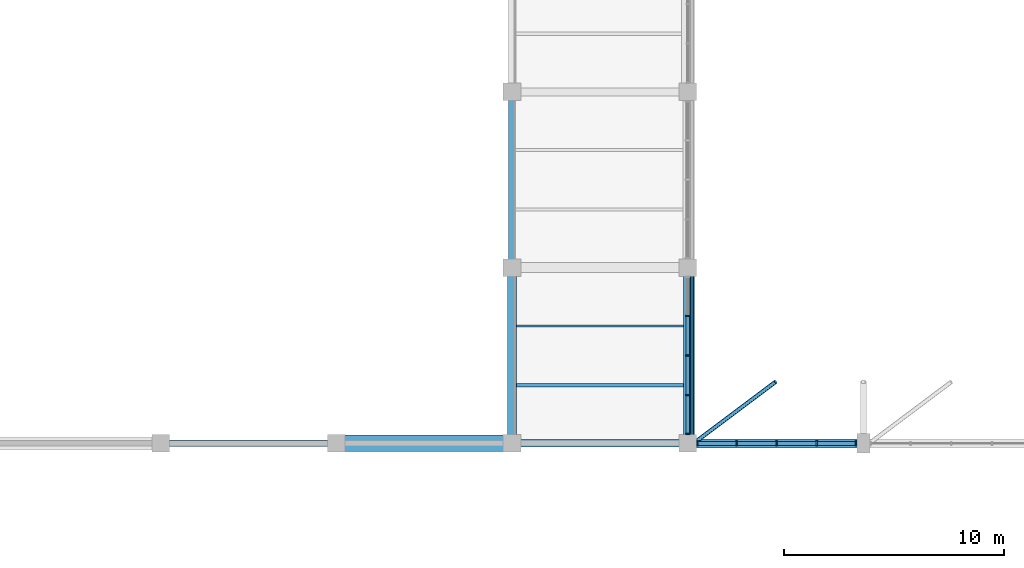
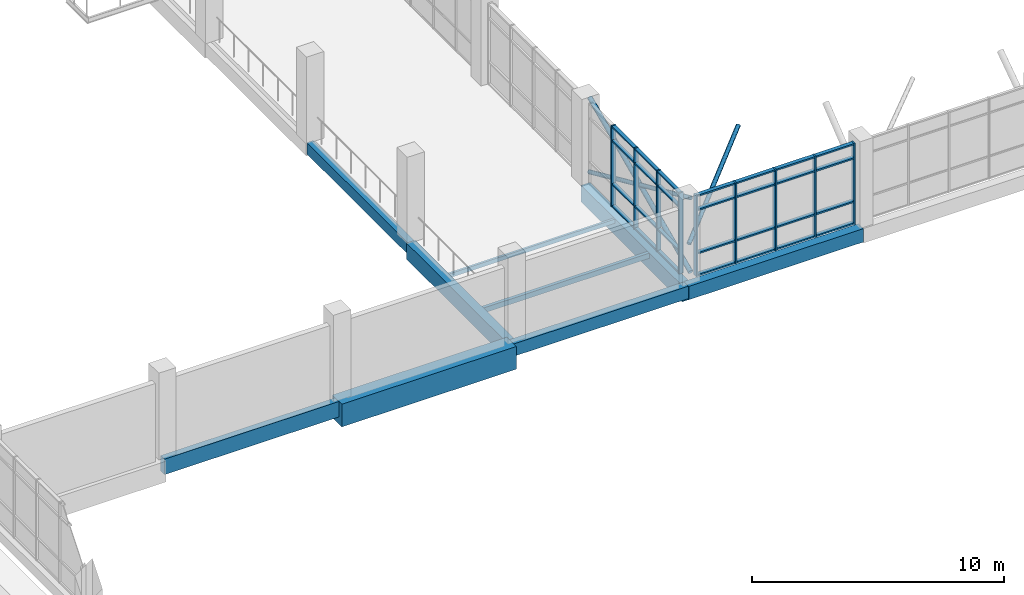
# One storey, part 43 of 84: 40 members, 9 beams, 2 elements without a shape of their own.
"""IFC4 building model written with IfcOpenShell, lengths in metres."""

from ifc_helpers import new_model, si_unit, direction, frame, origin, origin_2d, place, context, subcontext, project, spatial, rectangle, hollow_rectangle, hollow_circle, extrude, material, material_profile, profile_set, type_object, element, aggregate, save


model = new_model("IFC4")

# Units and contexts
model_context = context("Model", 3, precision=1e-05, world=origin(), true_north=direction((0.0, 1.0)))
body_context = subcontext(model_context, "Body", "Model", "MODEL_VIEW")
ifc_project = project(units=[si_unit("LENGTHUNIT", "METRE"), si_unit("AREAUNIT", "SQUARE_METRE"), si_unit("VOLUMEUNIT", "CUBIC_METRE"), si_unit("PLANEANGLEUNIT", "RADIAN"), si_unit("MASSUNIT", "GRAM", prefix="KILO")], contexts=[model_context])

# Site, building, storey
site_placement = place(None, origin())
site = spatial("IfcSite", under=ifc_project, at=site_placement, CompositionType="ELEMENT")
building_placement = place(site_placement, origin())
building = spatial("IfcBuilding", under=site, at=building_placement, Name="Tenunan Teduh Sports Hall", CompositionType="ELEMENT")
storey_placement = place(building_placement, frame((0.0, 0.0, 10.800048828125)))
storey = spatial("IfcBuildingStorey", under=building, at=storey_placement, Name="L02", CompositionType="ELEMENT", Elevation=10.800048828125)

# Beams
ifc_material_1 = material(Name="Concrete C40/50", Category="concrete")
ifc_material_profile_1 = material_profile(ifc_material_1, rectangle(XDim=0.300048828125, YDim=0.550048828125, at=origin_2d()), Name="RCB 300x550")
ifc_profile_set_1 = profile_set([ifc_material_profile_1], Name="Concrete C40/50")
beam_type_1 = type_object("IfcBeamType", Name="BM-RC-300x550", PredefinedType="BEAM", material=ifc_profile_set_1)
beam_1_placement = place(storey_placement, frame((146.0, 54.0, -0.53515625), z_axis=(0.0, 1.0, 0.0), x_axis=(-1.0, 0.0, 0.0)))
element("IfcBeam", 1, at=beam_1_placement, inside=storey, type_object=beam_type_1, Name="BM-B-02-L02-1654", PredefinedType="BEAM", context=body_context, shape_type="SweptSolid", body=[
    extrude(rectangle(XDim=0.300048828125, YDim=0.550048828125, at=origin_2d()), origin(), (0.0, 0.0, 1.0), 8.0),
])
ifc_material_2 = material(Name="Concrete C40/50", Category="concrete")
ifc_material_profile_2 = material_profile(ifc_material_2, rectangle(XDim=0.35009765625, YDim=0.60009765625, at=origin_2d()), Name="RCB 350x600")
ifc_profile_set_2 = profile_set([ifc_material_profile_2], Name="Concrete C40/50")
beam_type_2 = type_object("IfcBeamType", Name="BM-RC-350x600", PredefinedType="BEAM", material=ifc_profile_set_2)
beam_2_placement = place(storey_placement, frame((146.0, 46.0, -0.56005859375), z_axis=(1.0, 0.0, 0.0), x_axis=(0.0, 1.0, 0.0)))
element("IfcBeam", 2, at=beam_2_placement, inside=storey, type_object=beam_type_2, Name="BM-B-04-L02-1473", PredefinedType="BEAM", context=body_context, shape_type="SweptSolid", body=[
    extrude(rectangle(XDim=0.35009765625, YDim=0.60009765625, at=origin_2d()), origin(), (0.0, 0.0, 1.0), 8.0),
])
ifc_material_3 = material(Name="Concrete C40/50", Category="concrete")
ifc_material_profile_3 = material_profile(ifc_material_3, rectangle(XDim=0.39990234375, YDim=0.64990234375, at=origin_2d()), Name="RCB 400x650")
ifc_profile_set_3 = profile_set([ifc_material_profile_3], Name="Concrete C40/50")
beam_type_3 = type_object("IfcBeamType", Name="BM-RC-400x650", PredefinedType="BEAM", material=ifc_profile_set_3)
beam_3_placement = place(storey_placement, frame((154.0, 46.0, -0.5849609375), z_axis=(1.0, 0.0, 0.0), x_axis=(0.0, 1.0, 0.0)))
element("IfcBeam", 3, at=beam_3_placement, inside=storey, type_object=beam_type_3, Name="BM-B-07-L02-1474", PredefinedType="BEAM", context=body_context, shape_type="SweptSolid", body=[
    extrude(rectangle(XDim=0.39990234375, YDim=0.64990234375, at=origin_2d()), origin(), (0.0, 0.0, 1.0), 8.0),
])
ifc_material_4 = material(Name="Concrete C40/50", Category="concrete")
ifc_material_profile_4 = material_profile(ifc_material_4, rectangle(XDim=0.39990234375, YDim=0.800048828125, at=origin_2d()), Name="RCB 400x800")
ifc_profile_set_4 = profile_set([ifc_material_profile_4], Name="Concrete C40/50")
beam_type_4 = type_object("IfcBeamType", Name="BM-RC-400x800", PredefinedType="BEAM", material=ifc_profile_set_4)
beam_4_placement = place(storey_placement, frame((154.0, 46.0, -0.66015625), z_axis=(0.0, 1.0, 0.0), x_axis=(-1.0, 0.0, 0.0)))
element("IfcBeam", 4, at=beam_4_placement, inside=storey, type_object=beam_type_4, Name="BM-B-10-L02-1661", PredefinedType="BEAM", context=body_context, shape_type="SweptSolid", body=[
    extrude(rectangle(XDim=0.39990234375, YDim=0.800048828125, at=origin_2d()), origin(), (0.0, 0.0, 1.0), 8.0),
])
ifc_material_5 = material(Name="Concrete C40/50", Category="concrete")
ifc_material_profile_5 = material_profile(ifc_material_5, rectangle(XDim=0.75, YDim=1.10009765625, at=origin_2d()), Name="RCB 750x1100")
ifc_profile_set_5 = profile_set([ifc_material_profile_5], Name="Concrete C40/50")
beam_type_5 = type_object("IfcBeamType", Name="BM-RC-750x1100", PredefinedType="SPANDREL", material=ifc_profile_set_5)
beam_5_placement = place(storey_placement, frame((138.0, 46.0, -0.81005859375), z_axis=(1.0, 0.0, 0.0), x_axis=(0.0, 1.0, 0.0)))
element("IfcBeam", 5, at=beam_5_placement, inside=storey, type_object=beam_type_5, Name="BM-B-20-L02-1472", PredefinedType="SPANDREL", context=body_context, shape_type="SweptSolid", body=[
    extrude(rectangle(XDim=0.75, YDim=1.10009765625, at=origin_2d()), origin(), (0.0, 0.0, 1.0), 8.0),
])
ifc_material_6 = material(Name="Concrete C40/50", Category="concrete")
ifc_material_profile_6 = material_profile(ifc_material_6, rectangle(XDim=0.300048828125, YDim=0.75, at=origin_2d()), Name="SPB 300x750")
ifc_profile_set_6 = profile_set([ifc_material_profile_6], Name="Concrete C40/50")
beam_type_6 = type_object("IfcBeamType", Name="BM-SP-300x750", PredefinedType="SPANDREL", material=ifc_profile_set_6)
beam_6_placement = place(storey_placement, frame((130.0, 46.0, -0.635009765625), z_axis=(1.0, 0.0, 0.0), x_axis=(0.0, 1.0, 0.0)))
element("IfcBeam", 6, at=beam_6_placement, inside=storey, type_object=beam_type_6, Name="BM-SP-01-L02-1471", PredefinedType="SPANDREL", context=body_context, shape_type="SweptSolid", body=[
    extrude(rectangle(XDim=0.300048828125, YDim=0.75, at=origin_2d()), origin(), (0.0, 0.0, 1.0), 8.0),
])
ifc_material_7 = material(Name="Concrete C40/50", Category="concrete")
ifc_material_profile_7 = material_profile(ifc_material_7, rectangle(XDim=0.39990234375, YDim=0.780029296875, at=origin_2d()), Name="TB 400x780")
ifc_profile_set_7 = profile_set([ifc_material_profile_7], Name="Concrete C40/50")
beam_type_7 = type_object("IfcBeamType", Name="BM-TB-400x780", PredefinedType="T_BEAM", material=ifc_profile_set_7)
beam_7_placement = place(storey_placement, frame((146.0, 46.0, -0.650146484375), z_axis=(0.0, 1.0, 0.0), x_axis=(-1.0, 0.0, 0.0)))
element("IfcBeam", 7, at=beam_7_placement, inside=storey, type_object=beam_type_7, Name="BM-TB-02-L02-1653", PredefinedType="T_BEAM", context=body_context, shape_type="SweptSolid", body=[
    extrude(rectangle(XDim=0.39990234375, YDim=0.780029296875, at=origin_2d()), origin(), (0.0, 0.0, 1.0), 8.0),
])

# Curtain wall, members
ifc_material_8 = material(Name="Anodised aluminium", Category="aluminium")
curtain_wall_type_1 = type_object("IfcCurtainWallType", Name="CW-UNIT-2", PredefinedType="NOTDEFINED", material=ifc_material_8)
curtain_wall_1_placement = place(storey_placement, origin())
curtain_wall_1 = element("IfcCurtainWall", 8, at=curtain_wall_1_placement, inside=storey, type_object=curtain_wall_type_1, Name="CW-CWM-200-L02-132", PredefinedType="NOTDEFINED")
ifc_material_9 = material(Name="Anodised aluminium", Category="aluminium")
ifc_material_profile_8 = material_profile(ifc_material_9, rectangle(XDim=0.070068359375, YDim=0.199951171875, at=origin_2d()), Name="CWM 70x200")
ifc_profile_set_8 = profile_set([ifc_material_profile_8], Name="Anodised aluminium")
member_type_1 = type_object("IfcMemberType", Name="CWM-200", PredefinedType="MULLION", material=ifc_profile_set_8)
member_1_placement = place(storey_placement, frame((154.0, 46.43505859375, 0.0), z_axis=(0.0, 0.0, 1.0), x_axis=(0.0, 1.0, 0.0)))
member_1 = element("IfcMember", 9, at=member_1_placement, type_object=member_type_1, Name="CW-02 mullion 1", PredefinedType="MULLION", context=body_context, shape_type="SweptSolid", body=[
    extrude(rectangle(XDim=0.070068359375, YDim=0.199951171875, at=origin_2d()), origin(), (0.0, 0.0, 1.0), 3.919921875),
])
member_2_placement = place(storey_placement, frame((154.0, 48.199951171875, 0.0), z_axis=(0.0, 0.0, 1.0), x_axis=(0.0, 1.0, 0.0)))
member_2 = element("IfcMember", 10, at=member_2_placement, type_object=member_type_1, Name="CW-02 mullion 2", PredefinedType="MULLION", context=body_context, shape_type="SweptSolid", body=[
    extrude(rectangle(XDim=0.070068359375, YDim=0.199951171875, at=origin_2d()), origin(), (0.0, 0.0, 1.0), 3.919921875),
])
member_3_placement = place(storey_placement, frame((154.0, 50.0, 0.0), z_axis=(0.0, 0.0, 1.0), x_axis=(0.0, 1.0, 0.0)))
member_3 = element("IfcMember", 11, at=member_3_placement, type_object=member_type_1, Name="CW-02 mullion 3", PredefinedType="MULLION", context=body_context, shape_type="SweptSolid", body=[
    extrude(rectangle(XDim=0.070068359375, YDim=0.199951171875, at=origin_2d()), origin(), (0.0, 0.0, 1.0), 3.919921875),
])
member_4_placement = place(storey_placement, frame((154.0, 51.800048828125, 0.0), z_axis=(0.0, 0.0, 1.0), x_axis=(0.0, 1.0, 0.0)))
member_4 = element("IfcMember", 12, at=member_4_placement, type_object=member_type_1, Name="CW-02 mullion 4", PredefinedType="MULLION", context=body_context, shape_type="SweptSolid", body=[
    extrude(rectangle(XDim=0.070068359375, YDim=0.199951171875, at=origin_2d()), origin(), (0.0, 0.0, 1.0), 3.919921875),
])

ifc_material_10 = material(Name="Anodised aluminium", Category="aluminium")
curtain_wall_type_2 = type_object("IfcCurtainWallType", Name="CW-CLER-1", PredefinedType="NOTDEFINED", material=ifc_material_10)
curtain_wall_2_placement = place(storey_placement, origin())
curtain_wall_2 = element("IfcCurtainWall", 13, at=curtain_wall_2_placement, inside=storey, type_object=curtain_wall_type_2, Name="CW-CWM-220-L02-025", PredefinedType="NOTDEFINED")
ifc_material_11 = material(Name="Anodised aluminium", Category="aluminium")
ifc_material_profile_9 = material_profile(ifc_material_11, rectangle(XDim=0.074951171875, YDim=0.219970703125, at=origin_2d()), Name="CWM 75x220")
ifc_profile_set_9 = profile_set([ifc_material_profile_9], Name="Anodised aluminium")
member_type_2 = type_object("IfcMemberType", Name="CWM-220", PredefinedType="MULLION", material=ifc_profile_set_9)
member_5_placement = place(storey_placement, frame((154.4375, 46.0, 0.0), z_axis=(0.0, 0.0, 1.0), x_axis=(1.0, 0.0, 0.0)))
member_5 = element("IfcMember", 14, at=member_5_placement, type_object=member_type_2, Name="CW-03 mullion 1", PredefinedType="MULLION", context=body_context, shape_type="SweptSolid", body=[
    extrude(rectangle(XDim=0.074951171875, YDim=0.219970703125, at=origin_2d()), origin(), (0.0, 0.0, 1.0), 3.919921875),
])
member_6_placement = place(storey_placement, frame((156.22509765625, 46.0, 0.0), z_axis=(0.0, 0.0, 1.0), x_axis=(1.0, 0.0, 0.0)))
member_6 = element("IfcMember", 15, at=member_6_placement, type_object=member_type_2, Name="CW-03 mullion 2", PredefinedType="MULLION", context=body_context, shape_type="SweptSolid", body=[
    extrude(rectangle(XDim=0.074951171875, YDim=0.219970703125, at=origin_2d()), origin(), (0.0, 0.0, 1.0), 3.919921875),
])
member_7_placement = place(storey_placement, frame((158.050048828125, 46.0, 0.0), z_axis=(0.0, 0.0, 1.0), x_axis=(1.0, 0.0, 0.0)))
member_7 = element("IfcMember", 16, at=member_7_placement, type_object=member_type_2, Name="CW-03 mullion 3", PredefinedType="MULLION", context=body_context, shape_type="SweptSolid", body=[
    extrude(rectangle(XDim=0.074951171875, YDim=0.219970703125, at=origin_2d()), origin(), (0.0, 0.0, 1.0), 3.919921875),
])
member_8_placement = place(storey_placement, frame((159.875, 46.0, 0.0), z_axis=(0.0, 0.0, 1.0), x_axis=(1.0, 0.0, 0.0)))
member_8 = element("IfcMember", 17, at=member_8_placement, type_object=member_type_2, Name="CW-03 mullion 4", PredefinedType="MULLION", context=body_context, shape_type="SweptSolid", body=[
    extrude(rectangle(XDim=0.074951171875, YDim=0.219970703125, at=origin_2d()), origin(), (0.0, 0.0, 1.0), 3.919921875),
])
member_9_placement = place(storey_placement, frame((161.66259765625, 46.0, 0.0), z_axis=(0.0, 0.0, 1.0), x_axis=(1.0, 0.0, 0.0)))
member_9 = element("IfcMember", 18, at=member_9_placement, type_object=member_type_2, Name="CW-03 mullion 5", PredefinedType="MULLION", context=body_context, shape_type="SweptSolid", body=[
    extrude(rectangle(XDim=0.074951171875, YDim=0.219970703125, at=origin_2d()), origin(), (0.0, 0.0, 1.0), 3.919921875),
])
ifc_material_12 = material(Name="Anodised aluminium", Category="aluminium")
ifc_material_profile_10 = material_profile(ifc_material_12, rectangle(XDim=0.074951171875, YDim=0.179931640625, at=origin_2d()), Name="CWT 75x180")
ifc_profile_set_10 = profile_set([ifc_material_profile_10], Name="Anodised aluminium")
member_type_3 = type_object("IfcMemberType", Name="CWT-180", PredefinedType="USERDEFINED", material=ifc_profile_set_10)
member_10_placement = place(storey_placement, frame((154.47509765625, 46.0, 0.037353515625), z_axis=(1.0, 0.0, 0.0), x_axis=(0.0, 0.0, 1.0)))
member_10 = element("IfcMember", 19, at=member_10_placement, type_object=member_type_3, Name="CW-03 transom 1.1", ObjectType="TRANSOM", PredefinedType="USERDEFINED", context=body_context, shape_type="SweptSolid", body=[
    extrude(rectangle(XDim=0.074951171875, YDim=0.179931640625, at=origin_2d()), origin(), (0.0, 0.0, 1.0), 1.71240234375),
])
member_11_placement = place(storey_placement, frame((154.47509765625, 46.0, 1.099853515625), z_axis=(1.0, 0.0, 0.0), x_axis=(0.0, 0.0, 1.0)))
member_11 = element("IfcMember", 20, at=member_11_placement, type_object=member_type_3, Name="CW-03 transom 1.2", ObjectType="TRANSOM", PredefinedType="USERDEFINED", context=body_context, shape_type="SweptSolid", body=[
    extrude(rectangle(XDim=0.074951171875, YDim=0.179931640625, at=origin_2d()), origin(), (0.0, 0.0, 1.0), 1.71240234375),
])
member_12_placement = place(storey_placement, frame((154.47509765625, 46.0, 3.199951171875), z_axis=(1.0, 0.0, 0.0), x_axis=(0.0, 0.0, 1.0)))
member_12 = element("IfcMember", 21, at=member_12_placement, type_object=member_type_3, Name="CW-03 transom 1.3", ObjectType="TRANSOM", PredefinedType="USERDEFINED", context=body_context, shape_type="SweptSolid", body=[
    extrude(rectangle(XDim=0.074951171875, YDim=0.179931640625, at=origin_2d()), origin(), (0.0, 0.0, 1.0), 1.71240234375),
])
member_13_placement = place(storey_placement, frame((154.47509765625, 46.0, 3.882568359375), z_axis=(1.0, 0.0, 0.0), x_axis=(0.0, 0.0, 1.0)))
member_13 = element("IfcMember", 22, at=member_13_placement, type_object=member_type_3, Name="CW-03 transom 1.4", ObjectType="TRANSOM", PredefinedType="USERDEFINED", context=body_context, shape_type="SweptSolid", body=[
    extrude(rectangle(XDim=0.074951171875, YDim=0.179931640625, at=origin_2d()), origin(), (0.0, 0.0, 1.0), 1.71240234375),
])
member_14_placement = place(storey_placement, frame((156.262451171875, 46.0, 0.037353515625), z_axis=(1.0, 0.0, 0.0), x_axis=(0.0, 0.0, 1.0)))
member_14 = element("IfcMember", 23, at=member_14_placement, type_object=member_type_3, Name="CW-03 transom 2.1", ObjectType="TRANSOM", PredefinedType="USERDEFINED", context=body_context, shape_type="SweptSolid", body=[
    extrude(rectangle(XDim=0.074951171875, YDim=0.179931640625, at=origin_2d()), origin(), (0.0, 0.0, 1.0), 1.75),
])
member_15_placement = place(storey_placement, frame((156.262451171875, 46.0, 1.099853515625), z_axis=(1.0, 0.0, 0.0), x_axis=(0.0, 0.0, 1.0)))
member_15 = element("IfcMember", 24, at=member_15_placement, type_object=member_type_3, Name="CW-03 transom 2.2", ObjectType="TRANSOM", PredefinedType="USERDEFINED", context=body_context, shape_type="SweptSolid", body=[
    extrude(rectangle(XDim=0.074951171875, YDim=0.179931640625, at=origin_2d()), origin(), (0.0, 0.0, 1.0), 1.75),
])
member_16_placement = place(storey_placement, frame((156.262451171875, 46.0, 3.199951171875), z_axis=(1.0, 0.0, 0.0), x_axis=(0.0, 0.0, 1.0)))
member_16 = element("IfcMember", 25, at=member_16_placement, type_object=member_type_3, Name="CW-03 transom 2.3", ObjectType="TRANSOM", PredefinedType="USERDEFINED", context=body_context, shape_type="SweptSolid", body=[
    extrude(rectangle(XDim=0.074951171875, YDim=0.179931640625, at=origin_2d()), origin(), (0.0, 0.0, 1.0), 1.75),
])
member_17_placement = place(storey_placement, frame((156.262451171875, 46.0, 3.882568359375), z_axis=(1.0, 0.0, 0.0), x_axis=(0.0, 0.0, 1.0)))
member_17 = element("IfcMember", 26, at=member_17_placement, type_object=member_type_3, Name="CW-03 transom 2.4", ObjectType="TRANSOM", PredefinedType="USERDEFINED", context=body_context, shape_type="SweptSolid", body=[
    extrude(rectangle(XDim=0.074951171875, YDim=0.179931640625, at=origin_2d()), origin(), (0.0, 0.0, 1.0), 1.75),
])
member_18_placement = place(storey_placement, frame((158.08740234375, 46.0, 0.037353515625), z_axis=(1.0, 0.0, 0.0), x_axis=(0.0, 0.0, 1.0)))
member_18 = element("IfcMember", 27, at=member_18_placement, type_object=member_type_3, Name="CW-03 transom 3.1", ObjectType="TRANSOM", PredefinedType="USERDEFINED", context=body_context, shape_type="SweptSolid", body=[
    extrude(rectangle(XDim=0.074951171875, YDim=0.179931640625, at=origin_2d()), origin(), (0.0, 0.0, 1.0), 1.75),
])
member_19_placement = place(storey_placement, frame((158.08740234375, 46.0, 1.099853515625), z_axis=(1.0, 0.0, 0.0), x_axis=(0.0, 0.0, 1.0)))
member_19 = element("IfcMember", 28, at=member_19_placement, type_object=member_type_3, Name="CW-03 transom 3.2", ObjectType="TRANSOM", PredefinedType="USERDEFINED", context=body_context, shape_type="SweptSolid", body=[
    extrude(rectangle(XDim=0.074951171875, YDim=0.179931640625, at=origin_2d()), origin(), (0.0, 0.0, 1.0), 1.75),
])
member_20_placement = place(storey_placement, frame((158.08740234375, 46.0, 3.199951171875), z_axis=(1.0, 0.0, 0.0), x_axis=(0.0, 0.0, 1.0)))
member_20 = element("IfcMember", 29, at=member_20_placement, type_object=member_type_3, Name="CW-03 transom 3.3", ObjectType="TRANSOM", PredefinedType="USERDEFINED", context=body_context, shape_type="SweptSolid", body=[
    extrude(rectangle(XDim=0.074951171875, YDim=0.179931640625, at=origin_2d()), origin(), (0.0, 0.0, 1.0), 1.75),
])
member_21_placement = place(storey_placement, frame((158.08740234375, 46.0, 3.882568359375), z_axis=(1.0, 0.0, 0.0), x_axis=(0.0, 0.0, 1.0)))
member_21 = element("IfcMember", 30, at=member_21_placement, type_object=member_type_3, Name="CW-03 transom 3.4", ObjectType="TRANSOM", PredefinedType="USERDEFINED", context=body_context, shape_type="SweptSolid", body=[
    extrude(rectangle(XDim=0.074951171875, YDim=0.179931640625, at=origin_2d()), origin(), (0.0, 0.0, 1.0), 1.75),
])
member_22_placement = place(storey_placement, frame((159.91259765625, 46.0, 0.037353515625), z_axis=(1.0, 0.0, 0.0), x_axis=(0.0, 0.0, 1.0)))
member_22 = element("IfcMember", 31, at=member_22_placement, type_object=member_type_3, Name="CW-03 transom 4.1", ObjectType="TRANSOM", PredefinedType="USERDEFINED", context=body_context, shape_type="SweptSolid", body=[
    extrude(rectangle(XDim=0.074951171875, YDim=0.179931640625, at=origin_2d()), origin(), (0.0, 0.0, 1.0), 1.71240234375),
])
member_23_placement = place(storey_placement, frame((159.91259765625, 46.0, 1.099853515625), z_axis=(1.0, 0.0, 0.0), x_axis=(0.0, 0.0, 1.0)))
member_23 = element("IfcMember", 32, at=member_23_placement, type_object=member_type_3, Name="CW-03 transom 4.2", ObjectType="TRANSOM", PredefinedType="USERDEFINED", context=body_context, shape_type="SweptSolid", body=[
    extrude(rectangle(XDim=0.074951171875, YDim=0.179931640625, at=origin_2d()), origin(), (0.0, 0.0, 1.0), 1.71240234375),
])
member_24_placement = place(storey_placement, frame((159.91259765625, 46.0, 3.199951171875), z_axis=(1.0, 0.0, 0.0), x_axis=(0.0, 0.0, 1.0)))
member_24 = element("IfcMember", 33, at=member_24_placement, type_object=member_type_3, Name="CW-03 transom 4.3", ObjectType="TRANSOM", PredefinedType="USERDEFINED", context=body_context, shape_type="SweptSolid", body=[
    extrude(rectangle(XDim=0.074951171875, YDim=0.179931640625, at=origin_2d()), origin(), (0.0, 0.0, 1.0), 1.71240234375),
])
member_25_placement = place(storey_placement, frame((159.91259765625, 46.0, 3.882568359375), z_axis=(1.0, 0.0, 0.0), x_axis=(0.0, 0.0, 1.0)))
member_25 = element("IfcMember", 34, at=member_25_placement, type_object=member_type_3, Name="CW-03 transom 4.4", ObjectType="TRANSOM", PredefinedType="USERDEFINED", context=body_context, shape_type="SweptSolid", body=[
    extrude(rectangle(XDim=0.074951171875, YDim=0.179931640625, at=origin_2d()), origin(), (0.0, 0.0, 1.0), 1.71240234375),
])
aggregate(curtain_wall_2, [member_5, member_6, member_7, member_8, member_9, member_10, member_11, member_12, member_13, member_14, member_15, member_16, member_17, member_18, member_19, member_20, member_21, member_22, member_23, member_24, member_25])

# Member
ifc_material_13 = material(Name="Anodised aluminium", Category="aluminium")
ifc_material_profile_11 = material_profile(ifc_material_13, rectangle(XDim=0.070068359375, YDim=0.159912109375, at=origin_2d()), Name="CWT 70x160")
ifc_profile_set_11 = profile_set([ifc_material_profile_11], Name="Anodised aluminium")
member_type_4 = type_object("IfcMemberType", Name="CWT-200", PredefinedType="USERDEFINED", material=ifc_profile_set_11)
member_26_placement = place(storey_placement, frame((154.0, 46.469970703125, 0.034912109375), z_axis=(0.0, 1.0, 0.0), x_axis=(0.0, 0.0, 1.0)))
member_26 = element("IfcMember", 35, at=member_26_placement, type_object=member_type_4, Name="CW-02 transom 1.1", ObjectType="TRANSOM", PredefinedType="USERDEFINED", context=body_context, shape_type="SweptSolid", body=[
    extrude(rectangle(XDim=0.070068359375, YDim=0.159912109375, at=origin_2d()), origin(), (0.0, 0.0, 1.0), 1.695068359375),
])

member_27_placement = place(storey_placement, frame((154.0, 46.469970703125, 1.099853515625), z_axis=(0.0, 1.0, 0.0), x_axis=(0.0, 0.0, 1.0)))
member_27 = element("IfcMember", 36, at=member_27_placement, type_object=member_type_4, Name="CW-02 transom 1.2", ObjectType="TRANSOM", PredefinedType="USERDEFINED", context=body_context, shape_type="SweptSolid", body=[
    extrude(rectangle(XDim=0.070068359375, YDim=0.159912109375, at=origin_2d()), origin(), (0.0, 0.0, 1.0), 1.695068359375),
])

member_28_placement = place(storey_placement, frame((154.0, 46.469970703125, 3.199951171875), z_axis=(0.0, 1.0, 0.0), x_axis=(0.0, 0.0, 1.0)))
member_28 = element("IfcMember", 37, at=member_28_placement, type_object=member_type_4, Name="CW-02 transom 1.3", ObjectType="TRANSOM", PredefinedType="USERDEFINED", context=body_context, shape_type="SweptSolid", body=[
    extrude(rectangle(XDim=0.070068359375, YDim=0.159912109375, at=origin_2d()), origin(), (0.0, 0.0, 1.0), 1.695068359375),
])

member_29_placement = place(storey_placement, frame((154.0, 46.469970703125, 3.885009765625), z_axis=(0.0, 1.0, 0.0), x_axis=(0.0, 0.0, 1.0)))
member_29 = element("IfcMember", 38, at=member_29_placement, type_object=member_type_4, Name="CW-02 transom 1.4", ObjectType="TRANSOM", PredefinedType="USERDEFINED", context=body_context, shape_type="SweptSolid", body=[
    extrude(rectangle(XDim=0.070068359375, YDim=0.159912109375, at=origin_2d()), origin(), (0.0, 0.0, 1.0), 1.695068359375),
])

member_30_placement = place(storey_placement, frame((154.0, 48.235107421875, 0.034912109375), z_axis=(0.0, 1.0, 0.0), x_axis=(0.0, 0.0, 1.0)))
member_30 = element("IfcMember", 39, at=member_30_placement, type_object=member_type_4, Name="CW-02 transom 2.1", ObjectType="TRANSOM", PredefinedType="USERDEFINED", context=body_context, shape_type="SweptSolid", body=[
    extrude(rectangle(XDim=0.070068359375, YDim=0.159912109375, at=origin_2d()), origin(), (0.0, 0.0, 1.0), 1.72998046875),
])

member_31_placement = place(storey_placement, frame((154.0, 48.235107421875, 1.099853515625), z_axis=(0.0, 1.0, 0.0), x_axis=(0.0, 0.0, 1.0)))
member_31 = element("IfcMember", 40, at=member_31_placement, type_object=member_type_4, Name="CW-02 transom 2.2", ObjectType="TRANSOM", PredefinedType="USERDEFINED", context=body_context, shape_type="SweptSolid", body=[
    extrude(rectangle(XDim=0.070068359375, YDim=0.159912109375, at=origin_2d()), origin(), (0.0, 0.0, 1.0), 1.72998046875),
])

member_32_placement = place(storey_placement, frame((154.0, 48.235107421875, 3.199951171875), z_axis=(0.0, 1.0, 0.0), x_axis=(0.0, 0.0, 1.0)))
member_32 = element("IfcMember", 41, at=member_32_placement, type_object=member_type_4, Name="CW-02 transom 2.3", ObjectType="TRANSOM", PredefinedType="USERDEFINED", context=body_context, shape_type="SweptSolid", body=[
    extrude(rectangle(XDim=0.070068359375, YDim=0.159912109375, at=origin_2d()), origin(), (0.0, 0.0, 1.0), 1.72998046875),
])

member_33_placement = place(storey_placement, frame((154.0, 48.235107421875, 3.885009765625), z_axis=(0.0, 1.0, 0.0), x_axis=(0.0, 0.0, 1.0)))
member_33 = element("IfcMember", 42, at=member_33_placement, type_object=member_type_4, Name="CW-02 transom 2.4", ObjectType="TRANSOM", PredefinedType="USERDEFINED", context=body_context, shape_type="SweptSolid", body=[
    extrude(rectangle(XDim=0.070068359375, YDim=0.159912109375, at=origin_2d()), origin(), (0.0, 0.0, 1.0), 1.72998046875),
])

member_34_placement = place(storey_placement, frame((154.0, 50.034912109375, 0.034912109375), z_axis=(0.0, 1.0, 0.0), x_axis=(0.0, 0.0, 1.0)))
member_34 = element("IfcMember", 43, at=member_34_placement, type_object=member_type_4, Name="CW-02 transom 3.1", ObjectType="TRANSOM", PredefinedType="USERDEFINED", context=body_context, shape_type="SweptSolid", body=[
    extrude(rectangle(XDim=0.070068359375, YDim=0.159912109375, at=origin_2d()), origin(), (0.0, 0.0, 1.0), 1.72998046875),
])

member_35_placement = place(storey_placement, frame((154.0, 50.034912109375, 1.099853515625), z_axis=(0.0, 1.0, 0.0), x_axis=(0.0, 0.0, 1.0)))
member_35 = element("IfcMember", 44, at=member_35_placement, type_object=member_type_4, Name="CW-02 transom 3.2", ObjectType="TRANSOM", PredefinedType="USERDEFINED", context=body_context, shape_type="SweptSolid", body=[
    extrude(rectangle(XDim=0.070068359375, YDim=0.159912109375, at=origin_2d()), origin(), (0.0, 0.0, 1.0), 1.72998046875),
])

member_36_placement = place(storey_placement, frame((154.0, 50.034912109375, 3.199951171875), z_axis=(0.0, 1.0, 0.0), x_axis=(0.0, 0.0, 1.0)))
member_36 = element("IfcMember", 45, at=member_36_placement, type_object=member_type_4, Name="CW-02 transom 3.3", ObjectType="TRANSOM", PredefinedType="USERDEFINED", context=body_context, shape_type="SweptSolid", body=[
    extrude(rectangle(XDim=0.070068359375, YDim=0.159912109375, at=origin_2d()), origin(), (0.0, 0.0, 1.0), 1.72998046875),
])

member_37_placement = place(storey_placement, frame((154.0, 50.034912109375, 3.885009765625), z_axis=(0.0, 1.0, 0.0), x_axis=(0.0, 0.0, 1.0)))
member_37 = element("IfcMember", 46, at=member_37_placement, type_object=member_type_4, Name="CW-02 transom 3.4", ObjectType="TRANSOM", PredefinedType="USERDEFINED", context=body_context, shape_type="SweptSolid", body=[
    extrude(rectangle(XDim=0.070068359375, YDim=0.159912109375, at=origin_2d()), origin(), (0.0, 0.0, 1.0), 1.72998046875),
])

aggregate(curtain_wall_1, [member_1, member_2, member_3, member_4, member_26, member_27, member_28, member_29, member_30, member_31, member_32, member_33, member_34, member_35, member_36, member_37])

# Members
ifc_material_14 = material(Name="Steel S355", Category="steel")
ifc_material_profile_12 = material_profile(ifc_material_14, hollow_circle(Radius=0.096923828125, WallThickness=0.008056640625, at=origin_2d()), Name="CHS 193.7x8.0")
ifc_profile_set_12 = profile_set([ifc_material_profile_12], Name="Steel S355")
member_type_5 = type_object("IfcMemberType", Name="MEM-BR-CHS194", PredefinedType="BRACE", material=ifc_profile_set_12)
member_38_placement = place(storey_placement, frame((154.0, 45.800048828125, 1.800048828125), z_axis=(0.713495605127, 0.535121703845, 0.452292807303), x_axis=(-0.6, 0.8, 0.0)))
element("IfcMember", 47, at=member_38_placement, inside=storey, type_object=member_type_5, Name="MEM-GD-03-L02-0067", PredefinedType="BRACE", context=body_context, shape_type="SweptSolid", body=[
    extrude(hollow_circle(Radius=0.096923828125, WallThickness=0.008056640625, at=origin_2d()), origin(), (0.0, 0.0, 1.0), 5.606201171875),
])
member_39_placement = place(storey_placement, frame((154.18994140625, 54.0, 0.25), z_axis=(0.0, -0.911927753762, 0.410350791297), x_axis=(1.0, 0.0, 0.0)))
element("IfcMember", 48, at=member_39_placement, inside=storey, type_object=member_type_5, Name="MEM-GD-03-L02-1085", PredefinedType="BRACE", context=body_context, shape_type="SweptSolid", body=[
    extrude(hollow_circle(Radius=0.096923828125, WallThickness=0.008056640625, at=origin_2d()), origin(), (0.0, 0.0, 1.0), 8.772705078125),
])
ifc_material_15 = material(Name="Steel S355", Category="steel")
ifc_material_profile_13 = material_profile(ifc_material_15, hollow_circle(Radius=0.109619140625, WallThickness=0.010009765625, at=origin_2d()), Name="CHS 219.1x10.0")
ifc_profile_set_13 = profile_set([ifc_material_profile_13], Name="Steel S355")
member_type_6 = type_object("IfcMemberType", Name="MEM-BR-CHS219", PredefinedType="BRACE", material=ifc_profile_set_13)
member_40_placement = place(storey_placement, frame((154.199951171875, 46.0, 0.25), z_axis=(0.0, 0.911927753762, 0.410350791297), x_axis=(-1.0, 0.0, 0.0)))
element("IfcMember", 49, at=member_40_placement, inside=storey, type_object=member_type_6, Name="MEM-GD-02-L02-1084", PredefinedType="BRACE", context=body_context, shape_type="SweptSolid", body=[
    extrude(hollow_circle(Radius=0.109619140625, WallThickness=0.010009765625, at=origin_2d()), origin(), (0.0, 0.0, 1.0), 8.772705078125),
])

# Beams
ifc_material_16 = material(Name="Steel S355", Category="steel")
ifc_material_profile_14 = material_profile(ifc_material_16, hollow_rectangle(XDim=0.10009765625, YDim=0.199951171875, WallThickness=0.008056640625, at=origin_2d()), Name="RHS 200x100x8.0")
ifc_profile_set_14 = profile_set([ifc_material_profile_14], Name="Steel S355")
beam_type_8 = type_object("IfcBeamType", Name="RBM-RHS200", PredefinedType="JOIST", material=ifc_profile_set_14)
beam_8_placement = place(storey_placement, frame((146.199951171875, 51.35009765625, -0.360107421875), z_axis=(1.0, 0.0, 0.0), x_axis=(0.0, 1.0, 0.0)))
element("IfcBeam", 50, at=beam_8_placement, inside=storey, type_object=beam_type_8, Name="Perimeter Ring Beam BM-RB-05-L02-1791", PredefinedType="JOIST", context=body_context, shape_type="SweptSolid", body=[
    extrude(hollow_rectangle(XDim=0.10009765625, YDim=0.199951171875, WallThickness=0.008056640625, at=origin_2d()), origin(), (0.0, 0.0, 1.0), 7.60009765625),
])
ifc_material_17 = material(Name="Steel S355", Category="steel")
ifc_material_profile_15 = material_profile(ifc_material_17, hollow_rectangle(XDim=0.14990234375, YDim=0.25, WallThickness=0.010009765625, at=origin_2d()), Name="RHS 250x150x10.0")
ifc_profile_set_15 = profile_set([ifc_material_profile_15], Name="Steel S355")
beam_type_9 = type_object("IfcBeamType", Name="RBM-RHS250", PredefinedType="BEAM", material=ifc_profile_set_15)
beam_9_placement = place(storey_placement, frame((146.199951171875, 48.64990234375, -0.385009765625), z_axis=(1.0, 0.0, 0.0), x_axis=(0.0, 1.0, 0.0)))
element("IfcBeam", 51, at=beam_9_placement, inside=storey, type_object=beam_type_9, Name="Perimeter Ring Beam BM-RB-04-L02-1790", PredefinedType="BEAM", context=body_context, shape_type="SweptSolid", body=[
    extrude(hollow_rectangle(XDim=0.14990234375, YDim=0.25, WallThickness=0.010009765625, at=origin_2d()), origin(), (0.0, 0.0, 1.0), 7.60009765625),
])

save(model, "model.ifc")
